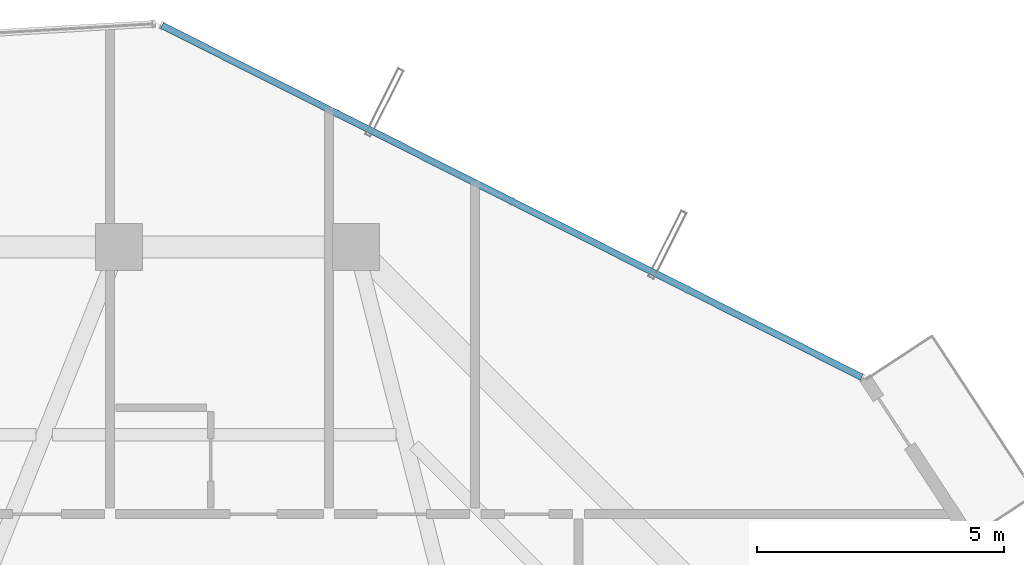
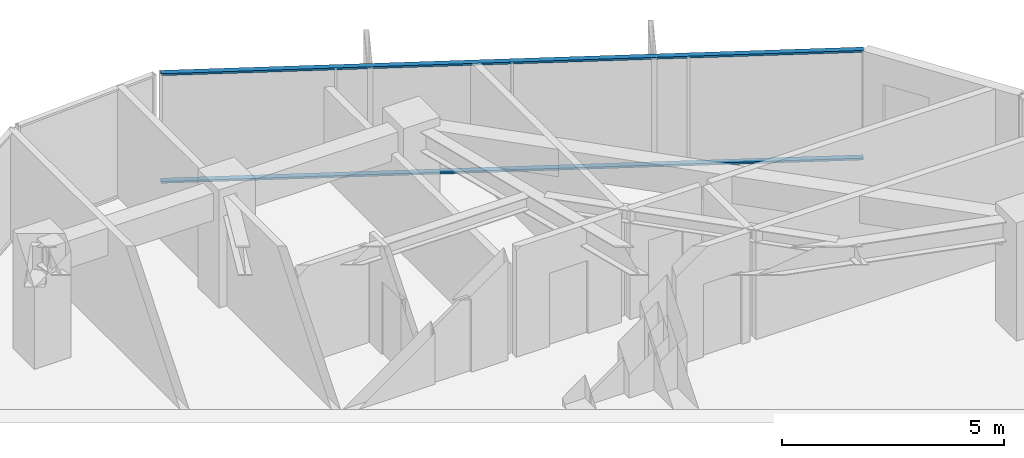
# One storey, part 26 of 33: 2 members, 1 element without a shape of its own.
"""IFC4 building model written with IfcOpenShell, lengths in metres."""

from ifc_helpers import new_model, si_unit, direction, frame, origin, origin_2d, place, context, subcontext, project, spatial, hollow_rectangle, extrude, source, transform, mapped, material, layer, layer_set, material_profile, profile_set, type_object, element, aggregate, save


model = new_model("IFC4")

# Units and contexts
model_context = context("Model", 3, precision=1e-05, world=origin(), true_north=direction((0.0, 1.0)))
body_context = subcontext(model_context, "Body", "Model", "MODEL_VIEW")
ifc_project = project(units=[si_unit("LENGTHUNIT", "METRE"), si_unit("AREAUNIT", "SQUARE_METRE"), si_unit("VOLUMEUNIT", "CUBIC_METRE"), si_unit("PLANEANGLEUNIT", "RADIAN"), si_unit("MASSUNIT", "GRAM", prefix="KILO")], contexts=[model_context])

# Site, building, storey
site_placement = place(None, origin())
site = spatial("IfcSite", under=ifc_project, at=site_placement, CompositionType="ELEMENT")
building_placement = place(site_placement, origin())
building = spatial("IfcBuilding", under=site, at=building_placement, Name="Veraguas Prism Commons", CompositionType="ELEMENT")
storey_placement = place(building_placement, frame((0.0, 0.0, 195.10009765625)))
storey = spatial("IfcBuildingStorey", under=building, at=storey_placement, Name="L55", CompositionType="ELEMENT", Elevation=195.10009765625)

# Curtain wall, members
ifc_material = material(Name="Anodised aluminium EN AW-6063 T6", Category="aluminium")
ifc_layer = layer(ifc_material, 0.14990234375, Name="Unitised Flush Curtain Wall Zone 3", Category="aluminium")
ifc_layer_set = layer_set([ifc_layer], Name="Anodised aluminium EN AW-6063 T6")
curtain_wall_type = type_object("IfcCurtainWallType", Name="Unitised Flush Curtain Wall Zone 3", PredefinedType="NOTDEFINED", material=ifc_layer_set)
curtain_wall_placement = place(storey_placement, origin())
curtain_wall = element("IfcCurtainWall", 1, at=curtain_wall_placement, inside=storey, type_object=curtain_wall_type, Name="Tower Facade Curtain Wall L55-F1", PredefinedType="NOTDEFINED")
ifc_material_profile = material_profile(ifc_material, hollow_rectangle(XDim=0.054931640625, YDim=0.135009765625, WallThickness=0.0029296875, at=origin_2d()), Name="AL55X135X3")
ifc_profile_set = profile_set([ifc_material_profile], Name="Anodised aluminium EN AW-6063 T6")
member_type = type_object("IfcMemberType", Name="Curtain Wall Transom Standard AL 55x135x3", PredefinedType="USERDEFINED", material=ifc_profile_set)
shared_shape = source(origin(), body_context, "Body", "SweptSolid", [
    extrude(hollow_rectangle(XDim=0.054931640625, YDim=0.135009765625, WallThickness=0.0029296875, at=origin_2d()), origin(), (0.0, 0.0, 1.0), 15.84228515625),
])
member_1_placement = place(storey_placement, frame((39.02978515625, 36.267822265625, 0.02734375), z_axis=(-0.893522305969, 0.449018806661, 0.0), x_axis=(0.0, 0.0, 1.0)))
member_1 = element("IfcMember", 2, at=member_1_placement, type_object=member_type, Name="CW-Z3 Transom 1", ObjectType="TRANSOM", PredefinedType="USERDEFINED", context=body_context, shape_type="MappedRepresentation", body=[
    mapped(shared_shape, transform((0.0, 0.0, 0.0), scale=1.0)),
])
member_2_placement = place(storey_placement, frame((39.02978515625, 36.267822265625, 2.9873046875), z_axis=(-0.893522305969, 0.449018806661, 0.0), x_axis=(0.0, 0.0, 1.0)))
member_2 = element("IfcMember", 3, at=member_2_placement, type_object=member_type, Name="CW-Z3 Transom 2", ObjectType="TRANSOM", PredefinedType="USERDEFINED", context=body_context, shape_type="MappedRepresentation", body=[
    mapped(shared_shape, transform((0.0, 0.0, 0.0), scale=1.0)),
])
aggregate(curtain_wall, [member_1, member_2])

save(model, "model.ifc")
